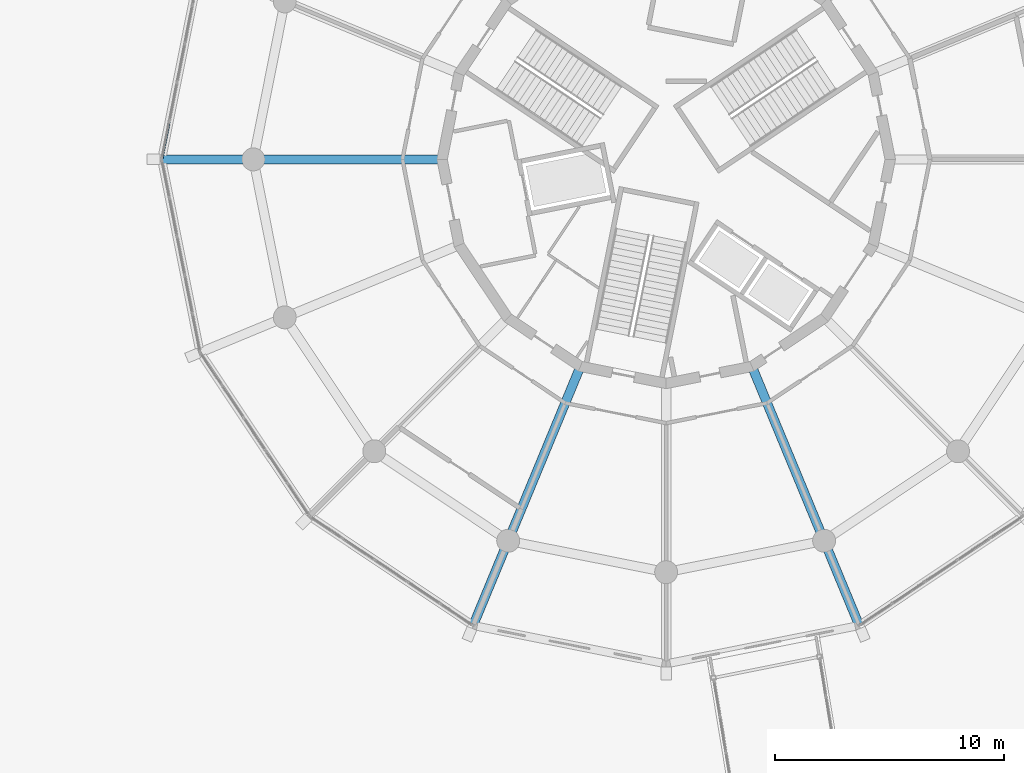
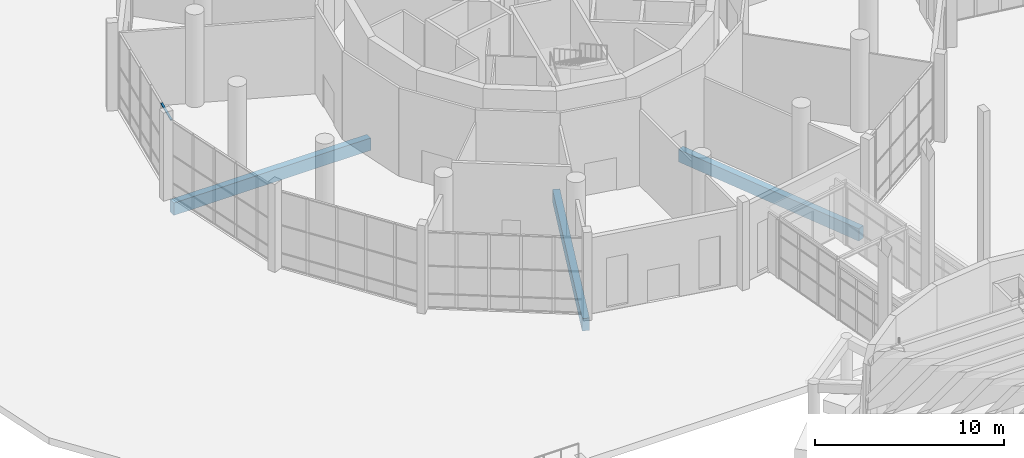
# One storey, part 65 of 226: 3 beams, 1 member, 1 element without a shape of its own.
"""IFC4 building model written with IfcOpenShell, lengths in metres."""

from ifc_helpers import new_model, si_unit, direction, frame, origin, origin_2d, place, context, subcontext, project, spatial, rectangle, extrude, material, material_profile, profile_set, type_object, element, aggregate, save


model = new_model("IFC4")

# Units and contexts
model_context = context("Model", 3, precision=1e-05, world=origin(), true_north=direction((0.0, 1.0)))
body_context = subcontext(model_context, "Body", "Model", "MODEL_VIEW")
ifc_project = project(units=[si_unit("LENGTHUNIT", "METRE"), si_unit("AREAUNIT", "SQUARE_METRE"), si_unit("VOLUMEUNIT", "CUBIC_METRE"), si_unit("PLANEANGLEUNIT", "RADIAN"), si_unit("MASSUNIT", "GRAM", prefix="KILO")], contexts=[model_context])

# Site, building, storey
site_placement = place(None, origin())
site = spatial("IfcSite", under=ifc_project, at=site_placement, CompositionType="ELEMENT")
building_placement = place(site_placement, origin())
building = spatial("IfcBuilding", under=site, at=building_placement, Name="Ceibo Conservatory and Research Tower", CompositionType="ELEMENT")
storey_placement = place(building_placement, origin())
storey = spatial("IfcBuildingStorey", under=building, at=storey_placement, Name="L00", CompositionType="ELEMENT", Elevation=0.0)

# Curtain wall, member
ifc_material_1 = material(Name="Aluminium and glass", Category="aluminium")
curtain_wall_type = type_object("IfcCurtainWallType", Name="Curtain wall CW1", PredefinedType="NOTDEFINED", material=ifc_material_1)
curtain_wall_placement = place(storey_placement, origin())
curtain_wall = element("IfcCurtainWall", 1, at=curtain_wall_placement, inside=storey, type_object=curtain_wall_type, Name="CW-00.08", PredefinedType="NOTDEFINED")
ifc_material_2 = material(Name="Aluminium", Category="aluminium")
ifc_material_profile_1 = material_profile(ifc_material_2, rectangle(XDim=0.1201171875, YDim=0.06005859375, at=origin_2d()), Name="Aluminium 60 x 120")
ifc_profile_set_1 = profile_set([ifc_material_profile_1], Name="Aluminium")
member_type = type_object("IfcMemberType", Name="Aluminium transom 60 x 120", PredefinedType="USERDEFINED", material=ifc_profile_set_1)
member_placement = place(storey_placement, frame((26.3291015625, 121.654296875, 4.8701171875), z_axis=(-0.195105867559, -0.980782188074, 0.0), x_axis=(0.980782188074, -0.195105867559, 0.0)))
member = element("IfcMember", 2, at=member_placement, type_object=member_type, Name="CW-00.08 transom 5.4", ObjectType="TRANSOM", PredefinedType="USERDEFINED", context=body_context, shape_type="SweptSolid", body=[
    extrude(rectangle(XDim=0.1201171875, YDim=0.06005859375, at=origin_2d()), origin(), (0.0, 0.0, 1.0), 1.626708984375),
])
aggregate(curtain_wall, [member])

# Beams
ifc_material_3 = material(Name="Concrete C35/45", Category="concrete")
ifc_material_profile_2 = material_profile(ifc_material_3, rectangle(XDim=0.39990234375, YDim=0.800048828125, at=origin_2d()), Name="RC 400x800")
ifc_profile_set_2 = profile_set([ifc_material_profile_2], Name="Concrete C35/45")
beam_type = type_object("IfcBeamType", Name="RC beam 400x800 C35", PredefinedType="BEAM", material=ifc_profile_set_2)
for number, where, z_axis, x_axis, name in (
    (3, (38.050048828125, 120.0, -0.75), (-1.0, 0.0, 0.0), (0.0, -1.0, 0.0), "Radial beam R9 L00"),
    (4, (44.1923828125, 110.807373046875, -0.75), (-0.382696089639, -0.923874289595, 0.0), (0.923874289595, -0.382696089639, 0.0), "Radial beam R12 L00"),
    (5, (51.8076171875, 110.807373046875, -0.75), (0.382696089639, -0.923874289595, 0.0), (0.923874289595, 0.382696089639, 0.0), "Radial beam R14 L00"),
):
    element("IfcBeam", number, at=place(storey_placement, frame(where, z_axis=z_axis, x_axis=x_axis)), inside=storey, type_object=beam_type, Name=name, PredefinedType="BEAM", context=body_context, shape_type="SweptSolid", body=[
        extrude(rectangle(XDim=0.39990234375, YDim=0.800048828125, at=origin_2d()), origin(), (0.0, 0.0, 1.0), 12.045166015625),
    ])

save(model, "model.ifc")
